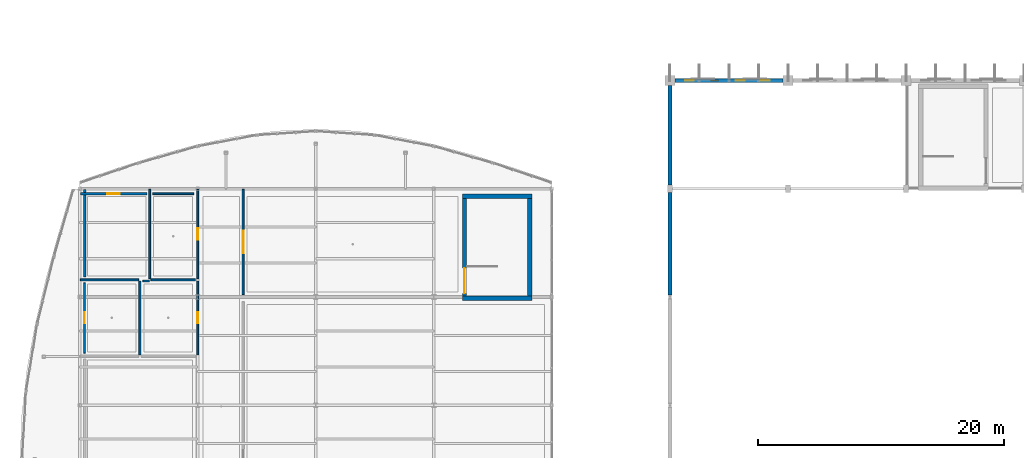
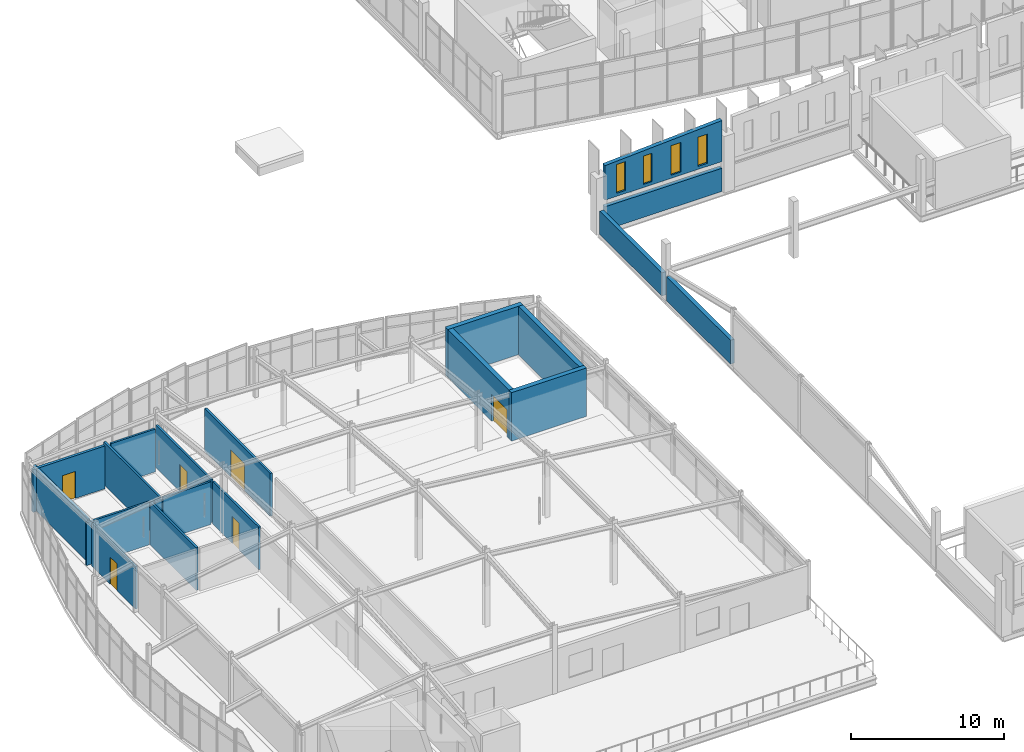
# One storey, part 91 of 114: 20 walls, 6 doors, 4 windows, 10 openings.
"""IFC4 building model written with IfcOpenShell, lengths in metres."""

import ifcopenshell
import ifcopenshell.guid

model = None  # the IFC model being written
_history = None  # IfcOwnerHistory: only IFC2X3 demands one
_inside = {}  # id of a spatial element -> (the spatial element, [elements in it])
_under = {}  # id of a project, library or spatial element -> (it, [spatial elements below it])
_declared = {}  # id of a project -> (the project, [libraries it declares])
_typed = {}  # id of a type object -> (the type object, [elements of that type])
_made_of = {}  # id of a material, layer set ... -> (it, [elements and type objects made of it])


def new_model(schema):
    """Start an empty IFC model of exactly this schema.

    Asked for "IFC4X3", IfcOpenShell would pick the latest addendum, in which some entities
    have other attributes; the version numbers below select the first issue.
    IFC2X3 requires an IfcOwnerHistory on every rooted entity: one is made here for all.
    """
    global model, _history
    if schema == "IFC4X3":
        model = ifcopenshell.file(schema_version=(4, 3, 0, 0))
    else:
        model = ifcopenshell.file(schema=schema)
    _inside.clear()
    _under.clear()
    _declared.clear()
    _typed.clear()
    _made_of.clear()
    _history = None
    if model.schema == "IFC2X3":
        org = make("IfcOrganization", Name="unknown")
        user = make(
            "IfcPersonAndOrganization",
            ThePerson=make("IfcPerson", FamilyName="unknown"),
            TheOrganization=org,
        )
        app = make(
            "IfcApplication",
            ApplicationDeveloper=org,
            Version="unknown",
            ApplicationFullName="unknown",
            ApplicationIdentifier="unknown",
        )
        _history = make(
            "IfcOwnerHistory",
            OwningUser=user,
            OwningApplication=app,
            ChangeAction="ADDED",
            CreationDate=0,
        )
    return model


def make(cls, **values):
    """One entity of the class cls with the attributes given. An attribute that is None is left unset."""
    return model.create_entity(
        cls, **{name: value for name, value in values.items() if value is not None}
    )


def rooted(cls, **values):
    """An entity with a GlobalId (a new one), such as an element, a storey or a relation."""
    return make(cls, GlobalId=ifcopenshell.guid.new(), OwnerHistory=_history, **values)


def si_unit(unit_type, name, prefix=None):
    """IfcSIUnit, for example si_unit("LENGTHUNIT", "METRE", prefix="MILLI")."""
    return make("IfcSIUnit", UnitType=unit_type, Prefix=prefix, Name=name)


def assignment(units):
    """IfcUnitAssignment: the units of a project."""
    return None if units is None else make("IfcUnitAssignment", Units=units)


def point(xyz):
    """IfcCartesianPoint."""
    return None if xyz is None else make("IfcCartesianPoint", Coordinates=xyz)


def direction(xyz):
    """IfcDirection."""
    return None if xyz is None else make("IfcDirection", DirectionRatios=xyz)


def frame(location, z_axis=None, x_axis=None):
    """IfcAxis2Placement3D, a coordinate frame: its origin and axes. An axis left out is left unset."""
    return make(
        "IfcAxis2Placement3D",
        Location=point(location),
        Axis=direction(z_axis),
        RefDirection=direction(x_axis),
    )


def frame_2d(location, x_axis=None):
    """IfcAxis2Placement2D, a coordinate frame in the plane: its origin and x axis."""
    return make(
        "IfcAxis2Placement2D", Location=point(location), RefDirection=direction(x_axis)
    )


def origin():
    """The frame at (0, 0, 0) with its axes left unset."""
    return frame((0.0, 0.0, 0.0))


def place(relative_to, where):
    """IfcLocalPlacement: puts the frame where relative to a parent placement (None: the world)."""
    return make(
        "IfcLocalPlacement", PlacementRelTo=relative_to, RelativePlacement=where
    )


def context(
    kind, dimensions, precision=None, world=None, true_north=None, identifier=None
):
    """IfcGeometricRepresentationContext, for example the 3D "Model" context."""
    return make(
        "IfcGeometricRepresentationContext",
        ContextIdentifier=identifier,
        ContextType=kind,
        CoordinateSpaceDimension=dimensions,
        Precision=precision,
        WorldCoordinateSystem=world,
        TrueNorth=true_north,
    )


def subcontext(parent, identifier, kind, view, scale=None):
    """IfcGeometricRepresentationSubContext, for example "Body" below "Model"."""
    return make(
        "IfcGeometricRepresentationSubContext",
        ContextIdentifier=identifier,
        ContextType=kind,
        ParentContext=parent,
        TargetScale=scale,
        TargetView=view,
    )


def project(units=None, contexts=None):
    """IfcProject with its units and contexts."""
    return rooted(
        "IfcProject",
        Name="project",
        RepresentationContexts=contexts,
        UnitsInContext=assignment(units),
    )


def spatial(cls, under=None, at=None, **own):
    """A site, building, storey or space (cls), placed at a placement, below another one or the project."""
    s = rooted(cls, ObjectPlacement=at, **own)
    if under is not None:
        _under.setdefault(under.id(), (under, []))[1].append(s)
    return s


def polyline(points):
    """IfcPolyline through the points."""
    return make("IfcPolyline", Points=[point(p) for p in points])


def profile(cls, at=None, kind="AREA", **sizes):
    """A parametric profile (cls). Its sizes go by their IFC names, for example OverallWidth=200.0."""
    return make(cls, ProfileType=kind, Position=at, **sizes)


def rectangle(**sizes):
    """IfcRectangleProfileDef."""
    return profile("IfcRectangleProfileDef", **sizes)


def outline(outer, holes=None, kind="AREA"):
    """IfcArbitraryClosedProfileDef: a profile drawn as a closed curve; with holes, ...WithVoids."""
    if holes is None:
        return make("IfcArbitraryClosedProfileDef", ProfileType=kind, OuterCurve=outer)
    return make(
        "IfcArbitraryProfileDefWithVoids",
        ProfileType=kind,
        OuterCurve=outer,
        InnerCurves=holes,
    )


def extrude(swept, where, along, depth):
    """IfcExtrudedAreaSolid: the profile swept, set in the frame where, extruded along a direction by depth."""
    return make(
        "IfcExtrudedAreaSolid",
        SweptArea=swept,
        Position=where,
        ExtrudedDirection=direction(along),
        Depth=depth,
    )


def shape(context_of_items, identifier, shape_type, items):
    """IfcShapeRepresentation: the items that make up one representation, for example the "Body"."""
    return make(
        "IfcShapeRepresentation",
        ContextOfItems=context_of_items,
        RepresentationIdentifier=identifier,
        RepresentationType=shape_type,
        Items=items,
    )


def material(Name=None, Category=None):
    """IfcMaterial."""
    return make("IfcMaterial", Name=Name, Category=Category)


def layer(
    of_material, thickness, ventilated=None, Name=None, Category=None, Priority=None
):
    """IfcMaterialLayer: one layer of a wall or slab, of a material (None: an air gap)."""
    return make(
        "IfcMaterialLayer",
        Material=of_material,
        LayerThickness=thickness,
        IsVentilated=ventilated,
        Name=Name,
        Category=Category,
        Priority=Priority,
    )


def layer_set(layers, Name=None):
    """IfcMaterialLayerSet."""
    return make("IfcMaterialLayerSet", MaterialLayers=layers, LayerSetName=Name)


def made_of(thing, what):
    """Note that an element or type object is made of a material, layer set ...; save() writes the relation."""
    if what is not None:
        _made_of.setdefault(what.id(), (what, []))[1].append(thing)
    return thing


def type_object(cls, material=None, **own):
    """A type object (cls), such as IfcWallType, which elements share."""
    return made_of(rooted(cls, **own), material)


def element(
    cls,
    number,
    at=None,
    inside=None,
    cuts=None,
    type_object=None,
    material=None,
    context=None,
    identifier="Body",
    shape_type=None,
    held_by="IfcProductDefinitionShape",
    body=None,
    shapes=None,
    **own,
):
    """One element of the class cls, such as IfcWall. Its Tag is "e" and its number.

    at: its placement. inside: the storey or other place that contains it. cuts: it is an
    opening in that element (IfcRelVoidsElement). A single representation is given by context,
    identifier, shape_type and body (its items); several are given by shapes. held_by: the class
    of the entity that holds the representations. save() writes the other relations.
    """
    e = rooted(cls, Tag="e%d" % number, ObjectPlacement=at, **own)
    if body is not None:
        shapes = [shape(context, identifier, shape_type, body)]
    if shapes is not None:
        e.Representation = make(held_by, Representations=shapes)
    if inside is not None:
        _inside.setdefault(inside.id(), (inside, []))[1].append(e)
    if cuts is not None:
        rooted(
            "IfcRelVoidsElement", RelatingBuildingElement=cuts, RelatedOpeningElement=e
        )
    if type_object is not None:
        _typed.setdefault(type_object.id(), (type_object, []))[1].append(e)
    return made_of(e, material)


def fill(opening, filler):
    """IfcRelFillsElement: the door or window that sits in an opening."""
    return rooted(
        "IfcRelFillsElement",
        RelatingOpeningElement=opening,
        RelatedBuildingElement=filler,
    )


def aggregate(whole, parts):
    """IfcRelAggregates: a whole, such as a stair, and the parts it consists of."""
    return rooted("IfcRelAggregates", RelatingObject=whole, RelatedObjects=parts)


def save(model, path):
    """Write the relations noted so far, then the file.

    IfcRelAggregates (storeys below a building ...), IfcRelContainedInSpatialStructure (elements
    in a storey), IfcRelDefinesByType, IfcRelAssociatesMaterial and IfcRelDeclares: one each for
    every whole, place, type object, material and project.
    """
    for whole, parts in _under.values():
        aggregate(whole, parts)
    for where, things in _inside.values():
        rooted(
            "IfcRelContainedInSpatialStructure",
            RelatedElements=things,
            RelatingStructure=where,
        )
    for kind, things in _typed.values():
        rooted("IfcRelDefinesByType", RelatedObjects=things, RelatingType=kind)
    for what, things in _made_of.values():
        rooted("IfcRelAssociatesMaterial", RelatedObjects=things, RelatingMaterial=what)
    for by, libraries in _declared.values():
        rooted("IfcRelDeclares", RelatingContext=by, RelatedDefinitions=libraries)
    model.write(path)


model = new_model("IFC4")

# Units and contexts
model_context = context("Model", 3, precision=1e-05, world=origin(), true_north=direction((0.0, 1.0)))
body_context = subcontext(model_context, "Body", "Model", "MODEL_VIEW")
ifc_project = project(units=[si_unit("LENGTHUNIT", "METRE"), si_unit("AREAUNIT", "SQUARE_METRE"), si_unit("VOLUMEUNIT", "CUBIC_METRE"), si_unit("PLANEANGLEUNIT", "RADIAN"), si_unit("MASSUNIT", "GRAM", prefix="KILO")], contexts=[model_context])

# Site, building, storey
site_placement = place(None, origin())
site = spatial("IfcSite", under=ifc_project, at=site_placement, CompositionType="ELEMENT")
building_placement = place(site_placement, origin())
building = spatial("IfcBuilding", under=site, at=building_placement, Name="Chalmorin Arch Market", CompositionType="ELEMENT")
storey_placement = place(building_placement, frame((0.0, 0.0, 9.60009765625)))
storey = spatial("IfcBuildingStorey", under=building, at=storey_placement, Name="L02", CompositionType="ELEMENT", Elevation=9.60009765625)

# Walls
ifc_material_1 = material(Name="Concrete C40/50", Category="concrete")
ifc_layer_1 = layer(ifc_material_1, 0.35009765625)
ifc_layer_set_1 = layer_set([ifc_layer_1], Name="Concrete C40/50")
wall_type_1 = type_object("IfcWallType", Name="CoreShearWall-350", PredefinedType="SHEAR", material=ifc_layer_set_1)
for number, where, z_axis, x_axis, name in (
    (1, (36.77490234375, 41.10009765625, 0.0), (0.0, 0.0, 1.0), (-1.0, 0.0, 0.0), "CSW-350-029"),
    (2, (31.125, 49.39990234375, 0.0), (0.0, 0.0, 1.0), (1.0, 0.0, 0.0), "CSW-350-030"),
):
    element("IfcWall", number, at=place(storey_placement, frame(where, z_axis=z_axis, x_axis=x_axis)), inside=storey, type_object=wall_type_1, Name=name, PredefinedType="SHEAR", context=body_context, shape_type="SweptSolid", body=[
        extrude(rectangle(XDim=5.64990234375, YDim=0.35009765625, at=frame_2d((2.824951171875, 0.0))), origin(), (0.0, 0.0, 1.0), 3.849853515625),
    ])

# Wall, opening, door
wall_1_placement = place(storey_placement, frame((31.300048828125, 41.27490234375, 0.0), z_axis=(0.0, 0.0, 1.0), x_axis=(0.0, 1.0, 0.0)))
wall_1 = element("IfcWall", 3, at=wall_1_placement, inside=storey, type_object=wall_type_1, Name="CSW-350-031", PredefinedType="SHEAR", context=body_context, shape_type="SweptSolid", body=[
    extrude(rectangle(XDim=7.9501953125, YDim=0.35009765625, at=frame_2d((3.97509765625, 0.0))), origin(), (0.0, 0.0, 1.0), 3.849853515625),
])
opening_1_placement = place(wall_1_placement, frame((0.219970703125, 0.0, 0.0)))
opening_1 = element("IfcOpeningElement", 4, at=opening_1_placement, cuts=wall_1, Name="Opening FD-SC2-L02", PredefinedType="OPENING", context=body_context, shape_type="SweptSolid", body=[
    extrude(rectangle(XDim=2.050048828125, YDim=2.14990234375, at=frame_2d((1.02490234375, 1.074951171875))), frame((0.0, 0.18505859375, 0.0), z_axis=(0.0, -1.0, 0.0), x_axis=(1.0, 0.0, 0.0)), (0.0, 0.0, 1.0), 0.3701171875),
])
ifc_material_2 = material(Name="Galvanised Steel", Category="steel")
door_type_1 = type_object("IfcDoorType", Name="DoubleFireExitDoor-2050x2150", OperationType="DOUBLE_DOOR_SINGLE_SWING", PredefinedType="DOOR", material=ifc_material_2)
door_1_placement = place(opening_1_placement, origin())
door_1 = element("IfcDoor", 5, at=door_1_placement, inside=storey, type_object=door_type_1, Name="FD-SC2-L02", OperationType="DOUBLE_DOOR_SINGLE_SWING", OverallHeight=2.14990234375, OverallWidth=2.050048828125, PredefinedType="DOOR", context=body_context, shape_type="SweptSolid", body=[
    extrude(rectangle(XDim=2.050048828125, YDim=2.14990234375, at=frame_2d((1.02490234375, 1.074951171875))), frame((0.0, 0.02490234375, 0.0), z_axis=(0.0, -1.0, 0.0), x_axis=(1.0, 0.0, 0.0)), (0.0, 0.0, 1.0), 0.050048828125),
])
fill(opening_1, door_1)

# Wall
wall_2_placement = place(storey_placement, frame((36.60009765625, 49.22509765625, 0.0), z_axis=(0.0, 0.0, 1.0), x_axis=(0.0, -1.0, 0.0)))
element("IfcWall", 6, at=wall_2_placement, inside=storey, type_object=wall_type_1, Name="CSW-350-032", PredefinedType="SHEAR", context=body_context, shape_type="SweptSolid", body=[
    extrude(rectangle(XDim=7.9501953125, YDim=0.35009765625, at=frame_2d((3.97509765625, 0.0))), origin(), (0.0, 0.0, 1.0), 3.849853515625),
])

# Wall, opening, door
ifc_material_3 = material(Name="Gypsum Board Partition")
ifc_layer_2 = layer(ifc_material_3, 0.159912109375)
ifc_layer_set_2 = layer_set([ifc_layer_2], Name="Gypsum Board Partition")
wall_type_2 = type_object("IfcWallType", Name="CorridorRatedPartition-160", PredefinedType="PARTITIONING", material=ifc_layer_set_2)
wall_3_placement = place(storey_placement, frame((13.300048828125, 41.39990234375, 0.0), z_axis=(0.0, 0.0, 1.0), x_axis=(0.0, 1.0, 0.0)))
wall_3 = element("IfcWall", 7, at=wall_3_placement, inside=storey, type_object=wall_type_2, Name="CRP-160-539", PredefinedType="PARTITIONING", context=body_context, shape_type="SweptSolid", body=[
    extrude(rectangle(XDim=8.550048828125, YDim=0.159912109375, at=frame_2d((4.27490234375, 0.0))), origin(), (0.0, 0.0, 1.0), 3.39990234375),
])
opening_2_placement = place(wall_3_placement, frame((3.375, 0.0, 0.0)))
opening_2 = element("IfcOpeningElement", 8, at=opening_2_placement, cuts=wall_3, Name="Opening ID-177", PredefinedType="OPENING", context=body_context, shape_type="SweptSolid", body=[
    extrude(rectangle(XDim=1.800048828125, YDim=2.14990234375, at=frame_2d((0.89990234375, 1.074951171875))), frame((0.0, 0.08984375, 0.0), z_axis=(0.0, -1.0, 0.0), x_axis=(1.0, 0.0, 0.0)), (0.0, 0.0, 1.0), 0.179931640625),
])
door_type_2 = type_object("IfcDoorType", Name="CorridorFireDoubleDoor-1800x2150", OperationType="DOUBLE_DOOR_SINGLE_SWING", PredefinedType="DOOR", material=ifc_material_2)
door_2_placement = place(opening_2_placement, origin())
door_2 = element("IfcDoor", 9, at=door_2_placement, inside=storey, type_object=door_type_2, Name="ID-177", OperationType="DOUBLE_DOOR_SINGLE_SWING", OverallHeight=2.14990234375, OverallWidth=1.800048828125, PredefinedType="DOOR", context=body_context, shape_type="SweptSolid", body=[
    extrude(rectangle(XDim=1.800048828125, YDim=2.14990234375, at=frame_2d((0.89990234375, 1.074951171875))), frame((0.0, 0.02490234375, 0.0), z_axis=(0.0, -1.0, 0.0), x_axis=(1.0, 0.0, 0.0)), (0.0, 0.0, 1.0), 0.050048828125),
])
fill(opening_2, door_2)

# Wall
ifc_material_4 = material(Name="Concrete C30/37", Category="concrete")
ifc_layer_3 = layer(ifc_material_4, 0.300048828125)
ifc_layer_set_3 = layer_set([ifc_layer_3], Name="Concrete C30/37")
wall_type_3 = type_object("IfcWallType", Name="ExteriorBackupWall-300", PredefinedType="STANDARD", material=ifc_layer_set_3)
wall_4_placement = place(storey_placement, frame((48.39990234375, 58.800048828125, 0.0), z_axis=(0.0, 0.0, 1.0), x_axis=(1.0, 0.0, 0.0)))
element("IfcWall", 10, at=wall_4_placement, inside=storey, type_object=wall_type_3, Name="EBW-300-077", PredefinedType="STANDARD", context=body_context, shape_type="SweptSolid", body=[
    extrude(rectangle(XDim=8.800048828125, YDim=0.300048828125, at=frame_2d((4.39990234375, 0.0))), origin(), (0.0, 0.0, 1.0), 1.849853515625),
])

# Wall, openings, windows
wall_5_placement = place(storey_placement, frame((48.39990234375, 58.800048828125, 2.3798828125), z_axis=(0.0, 0.0, 1.0), x_axis=(1.0, 0.0, 0.0)))
wall_5 = element("IfcWall", 11, at=wall_5_placement, inside=storey, type_object=wall_type_3, Name="EBW-300-078", PredefinedType="STANDARD", context=body_context, shape_type="SweptSolid", body=[
    extrude(outline(polyline([(0.0, 0.0), (8.800048828125, 0.0), (8.800048828125, 3.2666015625), (0.0, 2.75), (0.0, 0.0)])), frame((0.0, 0.14990234375, 0.0), z_axis=(0.0, -1.0, 0.0), x_axis=(1.0, 0.0, 0.0)), (0.0, 0.0, 1.0), 0.300048828125),
])
opening_3_placement = place(wall_5_placement, frame((0.85009765625, 0.0, 0.25)))
opening_3 = element("IfcOpeningElement", 12, at=opening_3_placement, cuts=wall_5, Name="Opening WN-006", PredefinedType="OPENING", context=body_context, shape_type="SweptSolid", body=[
    extrude(rectangle(XDim=0.669921875, YDim=2.2900390625, at=frame_2d((0.3349609375, 1.14501953125))), frame((0.0, 0.159912109375, 0.0), z_axis=(0.0, -1.0, 0.0), x_axis=(1.0, 0.0, 0.0)), (0.0, 0.0, 1.0), 0.320068359375),
])
opening_4_placement = place(wall_5_placement, frame((2.89990234375, 0.0, 0.25)))
opening_4 = element("IfcOpeningElement", 13, at=opening_4_placement, cuts=wall_5, Name="Opening WN-007", PredefinedType="OPENING", context=body_context, shape_type="SweptSolid", body=[
    extrude(rectangle(XDim=0.6298828125, YDim=2.260009765625, at=frame_2d((0.31494140625, 1.1298828125))), frame((0.0, 0.159912109375, 0.0), z_axis=(0.0, -1.0, 0.0), x_axis=(1.0, 0.0, 0.0)), (0.0, 0.0, 1.0), 0.320068359375),
])
opening_5_placement = place(wall_5_placement, frame((4.949951171875, 0.0, 0.25)))
opening_5 = element("IfcOpeningElement", 14, at=opening_5_placement, cuts=wall_5, Name="Opening WN-008", PredefinedType="OPENING", context=body_context, shape_type="SweptSolid", body=[
    extrude(rectangle(XDim=0.75, YDim=2.35009765625, at=frame_2d((0.375, 1.175048828125))), frame((0.0, 0.159912109375, 0.0), z_axis=(0.0, -1.0, 0.0), x_axis=(1.0, 0.0, 0.0)), (0.0, 0.0, 1.0), 0.320068359375),
])
opening_6_placement = place(wall_5_placement, frame((7.0, 0.0, 0.25)))
opening_6 = element("IfcOpeningElement", 15, at=opening_6_placement, cuts=wall_5, Name="Opening WN-009", PredefinedType="OPENING", context=body_context, shape_type="SweptSolid", body=[
    extrude(rectangle(XDim=0.7099609375, YDim=2.320068359375, at=frame_2d((0.35498046875, 1.16015625))), frame((0.0, 0.159912109375, 0.0), z_axis=(0.0, -1.0, 0.0), x_axis=(1.0, 0.0, 0.0)), (0.0, 0.0, 1.0), 0.320068359375),
])
ifc_material_5 = material(Name="Low-E Tempered Glass", Category="glass")
window_type_1 = type_object("IfcWindowType", Name="ClerestoryLancetWindow-750x4000", PartitioningType="SINGLE_PANEL", PredefinedType="WINDOW", material=ifc_material_5)
window_1_placement = place(opening_5_placement, origin())
window_1 = element("IfcWindow", 16, at=window_1_placement, inside=storey, type_object=window_type_1, Name="WN-008", OverallHeight=2.35009765625, OverallWidth=0.75, PartitioningType="SINGLE_PANEL", PredefinedType="WINDOW", context=body_context, shape_type="SweptSolid", body=[
    extrude(rectangle(XDim=0.75, YDim=2.35009765625, at=frame_2d((0.375, 1.175048828125))), frame((0.0, 0.030029296875, 0.0), z_axis=(0.0, -1.0, 0.0), x_axis=(1.0, 0.0, 0.0)), (0.0, 0.0, 1.0), 0.06005859375),
])
fill(opening_5, window_1)
window_type_2 = type_object("IfcWindowType", Name="ClerestoryLancetWindow-750x4000-630x2260", PartitioningType="SINGLE_PANEL", PredefinedType="WINDOW", material=ifc_material_5)
window_2_placement = place(opening_4_placement, origin())
window_2 = element("IfcWindow", 17, at=window_2_placement, inside=storey, type_object=window_type_2, Name="WN-007", OverallHeight=2.260009765625, OverallWidth=0.6298828125, PartitioningType="SINGLE_PANEL", PredefinedType="WINDOW", context=body_context, shape_type="SweptSolid", body=[
    extrude(rectangle(XDim=0.6298828125, YDim=2.260009765625, at=frame_2d((0.31494140625, 1.1298828125))), frame((0.0, 0.030029296875, 0.0), z_axis=(0.0, -1.0, 0.0), x_axis=(1.0, 0.0, 0.0)), (0.0, 0.0, 1.0), 0.06005859375),
])
fill(opening_4, window_2)
window_type_3 = type_object("IfcWindowType", Name="ClerestoryLancetWindow-750x4000-670x2290", PartitioningType="SINGLE_PANEL", PredefinedType="WINDOW", material=ifc_material_5)
window_3_placement = place(opening_3_placement, origin())
window_3 = element("IfcWindow", 18, at=window_3_placement, inside=storey, type_object=window_type_3, Name="WN-006", OverallHeight=2.2900390625, OverallWidth=0.669921875, PartitioningType="SINGLE_PANEL", PredefinedType="WINDOW", context=body_context, shape_type="SweptSolid", body=[
    extrude(rectangle(XDim=0.669921875, YDim=2.2900390625, at=frame_2d((0.3349609375, 1.14501953125))), frame((0.0, 0.030029296875, 0.0), z_axis=(0.0, -1.0, 0.0), x_axis=(1.0, 0.0, 0.0)), (0.0, 0.0, 1.0), 0.06005859375),
])
fill(opening_3, window_3)
window_type_4 = type_object("IfcWindowType", Name="ClerestoryLancetWindow-750x4000-710x2320", PartitioningType="SINGLE_PANEL", PredefinedType="WINDOW", material=ifc_material_5)
window_4_placement = place(opening_6_placement, origin())
window_4 = element("IfcWindow", 19, at=window_4_placement, inside=storey, type_object=window_type_4, Name="WN-009", OverallHeight=2.320068359375, OverallWidth=0.7099609375, PartitioningType="SINGLE_PANEL", PredefinedType="WINDOW", context=body_context, shape_type="SweptSolid", body=[
    extrude(rectangle(XDim=0.7099609375, YDim=2.320068359375, at=frame_2d((0.35498046875, 1.16015625))), frame((0.0, 0.030029296875, 0.0), z_axis=(0.0, -1.0, 0.0), x_axis=(1.0, 0.0, 0.0)), (0.0, 0.0, 1.0), 0.06005859375),
])
fill(opening_6, window_4)

# Walls
wall_6_placement = place(storey_placement, frame((48.0, 41.352294921875, 0.0), z_axis=(0.0, 0.0, 1.0), x_axis=(0.0, 1.0, 0.0)))
element("IfcWall", 20, at=wall_6_placement, inside=storey, type_object=wall_type_3, Name="EBW-300-121", PredefinedType="STANDARD", context=body_context, shape_type="SweptSolid", body=[
    extrude(rectangle(XDim=8.34765625, YDim=0.300048828125, at=frame_2d((4.173828125, 0.0))), origin(), (0.0, 0.0, 1.0), 1.906494140625),
])
wall_7_placement = place(storey_placement, frame((48.0, 50.300048828125, 0.0), z_axis=(0.0, 0.0, 1.0), x_axis=(0.0, 1.0, 0.0)))
element("IfcWall", 21, at=wall_7_placement, inside=storey, type_object=wall_type_3, Name="EBW-300-122", PredefinedType="STANDARD", context=body_context, shape_type="SweptSolid", body=[
    extrude(rectangle(XDim=8.099853515625, YDim=0.300048828125, at=frame_2d((4.0498046875, 0.0))), origin(), (0.0, 0.0, 1.0), 1.849853515625),
])

# Wall, opening, door
ifc_layer_4 = layer(ifc_material_4, 0.199951171875)
ifc_layer_set_4 = layer_set([ifc_layer_4], Name="Concrete C30/37")
wall_type_4 = type_object("IfcWallType", Name="FireCompartmentWall-200", PredefinedType="PARTITIONING", material=ifc_layer_set_4)
wall_8_placement = place(storey_placement, frame((0.050048828125, 49.60009765625, 0.0), z_axis=(0.0, 0.0, 1.0), x_axis=(1.0, 0.0, 0.0)))
wall_8 = element("IfcWall", 22, at=wall_8_placement, inside=storey, type_object=wall_type_4, Name="FCW-200-570", PredefinedType="PARTITIONING", context=body_context, shape_type="SweptSolid", body=[
    extrude(rectangle(XDim=5.409912109375, YDim=0.199951171875, at=frame_2d((2.705078125, 0.0))), origin(), (0.0, 0.0, 1.0), 3.39990234375),
])
opening_7_placement = place(wall_8_placement, frame((2.205078125, 0.0, 0.0)))
opening_7 = element("IfcOpeningElement", 23, at=opening_7_placement, cuts=wall_8, Name="Opening ID-195", PredefinedType="OPENING", context=body_context, shape_type="SweptSolid", body=[
    extrude(rectangle(XDim=1.0, YDim=2.14990234375, at=frame_2d((0.5, 1.074951171875))), frame((0.0, 0.10986328125, 0.0), z_axis=(0.0, -1.0, 0.0), x_axis=(1.0, 0.0, 0.0)), (0.0, 0.0, 1.0), 0.219970703125),
])
ifc_material_6 = material(Name="Oak Engineered Timber", Category="wood")
door_type_3 = type_object("IfcDoorType", Name="ClassroomAcousticDoor-1000x2150", OperationType="NOTDEFINED", PredefinedType="DOOR", material=ifc_material_6)
door_3_placement = place(opening_7_placement, origin())
door_3 = element("IfcDoor", 24, at=door_3_placement, inside=storey, type_object=door_type_3, Name="ID-195", OperationType="SINGLE_SWING_LEFT", OverallHeight=2.14990234375, OverallWidth=1.0, PredefinedType="DOOR", context=body_context, shape_type="SweptSolid", body=[
    extrude(rectangle(XDim=1.0, YDim=2.14990234375, at=frame_2d((0.5, 1.074951171875))), frame((0.0, 0.02490234375, 0.0), z_axis=(0.0, -1.0, 0.0), x_axis=(1.0, 0.0, 0.0)), (0.0, 0.0, 1.0), 0.050048828125),
])
fill(opening_7, door_3)

# Wall
wall_9_placement = place(storey_placement, frame((0.39990234375, 42.840087890625, 0.0), z_axis=(0.0, 0.0, 1.0), x_axis=(0.0, 1.0, 0.0)))
element("IfcWall", 25, at=wall_9_placement, inside=storey, type_object=wall_type_4, Name="FCW-200-571", PredefinedType="PARTITIONING", context=body_context, shape_type="SweptSolid", body=[
    extrude(rectangle(XDim=7.10986328125, YDim=0.199951171875, at=frame_2d((3.554931640625, 0.0))), origin(), (0.0, 0.0, 1.0), 3.39990234375),
])

# Wall, opening, door
ifc_layer_5 = layer(ifc_material_4, 0.14990234375)
ifc_layer_set_5 = layer_set([ifc_layer_5], Name="Concrete C30/37")
wall_type_5 = type_object("IfcWallType", Name="WetAreaTilePartition-150", PredefinedType="PARTITIONING", material=ifc_layer_set_5)
wall_10_placement = place(storey_placement, frame((9.60009765625, 36.5, 0.0), z_axis=(0.0, 0.0, 1.0), x_axis=(0.0, 1.0, 0.0)))
wall_10 = element("IfcWall", 26, at=wall_10_placement, inside=storey, type_object=wall_type_5, Name="WTP-150-541", PredefinedType="PARTITIONING", context=body_context, shape_type="SweptSolid", body=[
    extrude(rectangle(XDim=6.0, YDim=0.14990234375, at=frame_2d((3.0, 0.0))), origin(), (0.0, 0.0, 1.0), 3.39990234375),
])
opening_8_placement = place(wall_10_placement, frame((2.550048828125, 0.0, 0.0)))
opening_8 = element("IfcOpeningElement", 27, at=opening_8_placement, cuts=wall_10, Name="Opening ID-179", PredefinedType="OPENING", context=body_context, shape_type="SweptSolid", body=[
    extrude(rectangle(XDim=0.89990234375, YDim=2.14990234375, at=frame_2d((0.449951171875, 1.074951171875))), frame((0.0, 0.0849609375, 0.0), z_axis=(0.0, -1.0, 0.0), x_axis=(1.0, 0.0, 0.0)), (0.0, 0.0, 1.0), 0.169921875),
])
door_type_4 = type_object("IfcDoorType", Name="RestroomEntryDoor-900x2150", OperationType="NOTDEFINED", PredefinedType="DOOR", material=ifc_material_6)
door_4_placement = place(opening_8_placement, origin())
door_4 = element("IfcDoor", 28, at=door_4_placement, inside=storey, type_object=door_type_4, Name="ID-179", OperationType="SINGLE_SWING_LEFT", OverallHeight=2.14990234375, OverallWidth=0.89990234375, PredefinedType="DOOR", context=body_context, shape_type="SweptSolid", body=[
    extrude(rectangle(XDim=0.89990234375, YDim=2.14990234375, at=frame_2d((0.449951171875, 1.074951171875))), frame((0.0, 0.02490234375, 0.0), z_axis=(0.0, -1.0, 0.0), x_axis=(1.0, 0.0, 0.0)), (0.0, 0.0, 1.0), 0.050048828125),
])
fill(opening_8, door_4)

wall_11_placement = place(storey_placement, frame((9.60009765625, 42.699951171875, 0.0), z_axis=(0.0, 0.0, 1.0), x_axis=(0.0, 1.0, 0.0)))
wall_11 = element("IfcWall", 29, at=wall_11_placement, inside=storey, type_object=wall_type_5, Name="WTP-150-542", PredefinedType="PARTITIONING", context=body_context, shape_type="SweptSolid", body=[
    extrude(rectangle(XDim=7.25, YDim=0.14990234375, at=frame_2d((3.625, 0.0))), origin(), (0.0, 0.0, 1.0), 3.39990234375),
])
opening_9_placement = place(wall_11_placement, frame((3.14990234375, 0.0, 0.0)))
opening_9 = element("IfcOpeningElement", 30, at=opening_9_placement, cuts=wall_11, Name="Opening ID-180", PredefinedType="OPENING", context=body_context, shape_type="SweptSolid", body=[
    extrude(rectangle(XDim=0.949951171875, YDim=2.14990234375, at=frame_2d((0.47509765625, 1.074951171875))), frame((0.0, 0.0849609375, 0.0), z_axis=(0.0, -1.0, 0.0), x_axis=(1.0, 0.0, 0.0)), (0.0, 0.0, 1.0), 0.169921875),
])
door_type_5 = type_object("IfcDoorType", Name="AccessibleWCDoor-950x2150", OperationType="NOTDEFINED", PredefinedType="DOOR", material=ifc_material_6)
door_5_placement = place(opening_9_placement, origin())
door_5 = element("IfcDoor", 31, at=door_5_placement, inside=storey, type_object=door_type_5, Name="ID-180", OperationType="SINGLE_SWING_RIGHT", OverallHeight=2.14990234375, OverallWidth=0.949951171875, PredefinedType="DOOR", context=body_context, shape_type="SweptSolid", body=[
    extrude(rectangle(XDim=0.949951171875, YDim=2.14990234375, at=frame_2d((0.47509765625, 1.074951171875))), frame((0.0, 0.02490234375, 0.0), z_axis=(0.0, -1.0, 0.0), x_axis=(1.0, 0.0, 0.0)), (0.0, 0.0, 1.0), 0.050048828125),
])
fill(opening_9, door_5)

# Walls
wall_12_placement = place(storey_placement, frame((4.89990234375, 36.5, 0.0), z_axis=(0.0, 0.0, 1.0), x_axis=(0.0, 1.0, 0.0)))
element("IfcWall", 32, at=wall_12_placement, inside=storey, type_object=wall_type_5, Name="WTP-150-545", PredefinedType="PARTITIONING", context=body_context, shape_type="SweptSolid", body=[
    extrude(rectangle(XDim=6.0, YDim=0.14990234375, at=frame_2d((3.0, 0.0))), origin(), (0.0, 0.0, 1.0), 3.39990234375),
])
wall_13_placement = place(storey_placement, frame((0.050048828125, 42.60009765625, 0.0), z_axis=(0.0, 0.0, 1.0), x_axis=(1.0, 0.0, 0.0)))
element("IfcWall", 33, at=wall_13_placement, inside=storey, type_object=wall_type_5, Name="WTP-150-546", PredefinedType="PARTITIONING", context=body_context, shape_type="SweptSolid", body=[
    extrude(rectangle(XDim=4.75, YDim=0.14990234375, at=frame_2d((2.375, 0.0))), origin(), (0.0, 0.0, 1.0), 3.39990234375),
])
wall_14_placement = place(storey_placement, frame((5.800048828125, 42.60009765625, 0.0), z_axis=(0.0, 0.0, 1.0), x_axis=(1.0, 0.0, 0.0)))
element("IfcWall", 34, at=wall_14_placement, inside=storey, type_object=wall_type_5, Name="WTP-150-547", PredefinedType="PARTITIONING", context=body_context, shape_type="SweptSolid", body=[
    extrude(rectangle(XDim=3.599853515625, YDim=0.14990234375, at=frame_2d((1.7998046875, 0.0))), origin(), (0.0, 0.0, 1.0), 3.39990234375),
])
wall_15_placement = place(storey_placement, frame((5.699951171875, 42.699951171875, 0.0), z_axis=(0.0, 0.0, 1.0), x_axis=(0.0, 1.0, 0.0)))
element("IfcWall", 35, at=wall_15_placement, inside=storey, type_object=wall_type_5, Name="WTP-150-548", PredefinedType="PARTITIONING", context=body_context, shape_type="SweptSolid", body=[
    extrude(rectangle(XDim=7.25, YDim=0.14990234375, at=frame_2d((3.625, 0.0))), origin(), (0.0, 0.0, 1.0), 3.39990234375),
])

# Wall, opening, door
wall_16_placement = place(storey_placement, frame((0.39990234375, 36.639892578125, 0.0), z_axis=(0.0, 0.0, 1.0), x_axis=(0.0, 1.0, 0.0)))
wall_16 = element("IfcWall", 36, at=wall_16_placement, inside=storey, type_object=wall_type_5, Name="WTP-150-567", PredefinedType="PARTITIONING", context=body_context, shape_type="SweptSolid", body=[
    extrude(rectangle(XDim=5.72021484375, YDim=0.14990234375, at=frame_2d((2.860107421875, 0.0))), origin(), (0.0, 0.0, 1.0), 3.39990234375),
])
opening_10_placement = place(wall_16_placement, frame((2.409912109375, 0.0, 0.0)))
opening_10 = element("IfcOpeningElement", 37, at=opening_10_placement, cuts=wall_16, Name="Opening ID-194", PredefinedType="OPENING", context=body_context, shape_type="SweptSolid", body=[
    extrude(rectangle(XDim=0.89990234375, YDim=2.14990234375, at=frame_2d((0.449951171875, 1.074951171875))), frame((0.0, 0.0849609375, 0.0), z_axis=(0.0, -1.0, 0.0), x_axis=(1.0, 0.0, 0.0)), (0.0, 0.0, 1.0), 0.169921875),
])
door_6_placement = place(opening_10_placement, origin())
door_6 = element("IfcDoor", 38, at=door_6_placement, inside=storey, type_object=door_type_4, Name="ID-194", OperationType="SINGLE_SWING_RIGHT", OverallHeight=2.14990234375, OverallWidth=0.89990234375, PredefinedType="DOOR", context=body_context, shape_type="SweptSolid", body=[
    extrude(rectangle(XDim=0.89990234375, YDim=2.14990234375, at=frame_2d((0.449951171875, 1.074951171875))), frame((0.0, 0.02490234375, 0.0), z_axis=(0.0, -1.0, 0.0), x_axis=(1.0, 0.0, 0.0)), (0.0, 0.0, 1.0), 0.050048828125),
])
fill(opening_10, door_6)

# Walls
wall_17_placement = place(storey_placement, frame((5.139892578125, 42.5, 0.0), z_axis=(0.0, 0.0, 1.0), x_axis=(1.0, 0.0, 0.0)))
element("IfcWall", 39, at=wall_17_placement, inside=storey, type_object=wall_type_5, Name="WTP-150-568", PredefinedType="PARTITIONING", context=body_context, shape_type="SweptSolid", body=[
    extrude(rectangle(XDim=0.52001953125, YDim=0.14990234375, at=frame_2d((0.260009765625, 0.0))), origin(), (0.0, 0.0, 1.0), 3.39990234375),
])
wall_18_placement = place(storey_placement, frame((5.93994140625, 49.60009765625, 0.0), z_axis=(0.0, 0.0, 1.0), x_axis=(1.0, 0.0, 0.0)))
element("IfcWall", 40, at=wall_18_placement, inside=storey, type_object=wall_type_5, Name="WTP-150-569", PredefinedType="PARTITIONING", context=body_context, shape_type="SweptSolid", body=[
    extrude(rectangle(XDim=3.320068359375, YDim=0.14990234375, at=frame_2d((1.66015625, 0.0))), origin(), (0.0, 0.0, 1.0), 3.39990234375),
])

save(model, "model.ifc")
